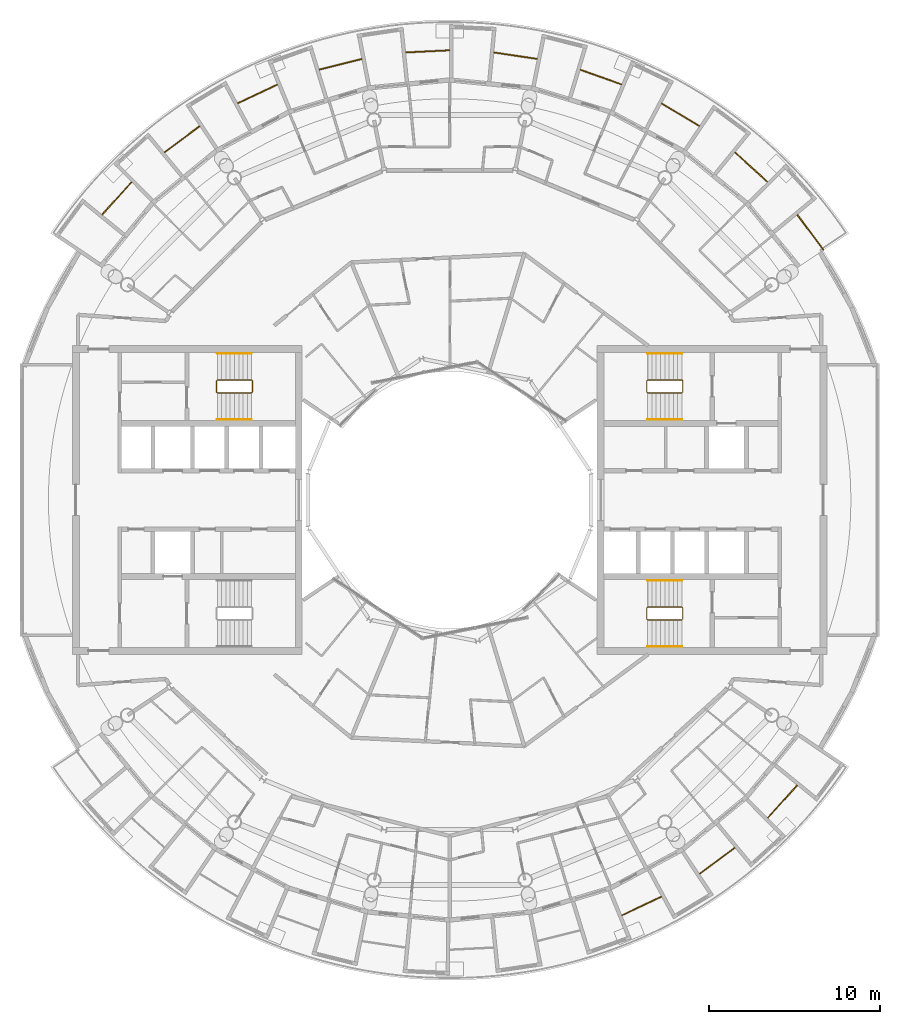
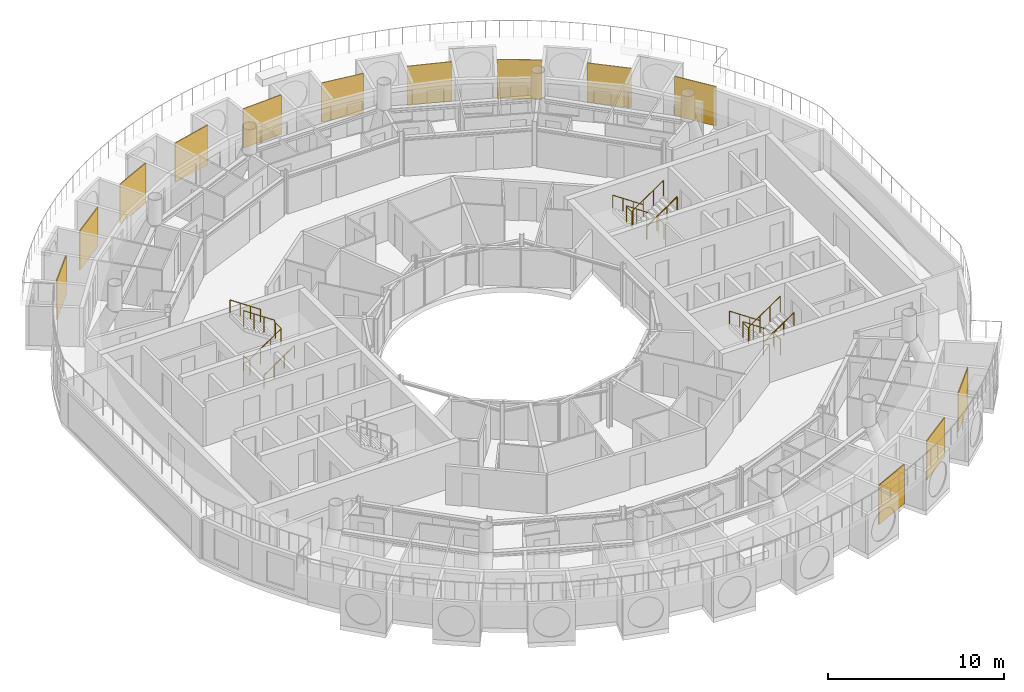
# One storey, part 25 of 25: 22 railings.
"""IFC4 building model written with IfcOpenShell, lengths in metres."""

from ifc_helpers import new_model, si_unit, direction, frame, origin, origin_2d, place, context, subcontext, project, spatial, polyline, circle, outline, extrude, material, layer, layer_set, type_object, element, save


model = new_model("IFC4")

# Units and contexts
model_context = context("Model", 3, precision=1e-05, world=origin(), true_north=direction((0.0, 1.0)))
body_context = subcontext(model_context, "Body", "Model", "MODEL_VIEW")
ifc_project = project(units=[si_unit("LENGTHUNIT", "METRE"), si_unit("AREAUNIT", "SQUARE_METRE"), si_unit("VOLUMEUNIT", "CUBIC_METRE"), si_unit("PLANEANGLEUNIT", "RADIAN"), si_unit("MASSUNIT", "GRAM", prefix="KILO")], contexts=[model_context])

# Site, building, storey
site_placement = place(None, origin())
site = spatial("IfcSite", under=ifc_project, at=site_placement, CompositionType="ELEMENT")
building_placement = place(site_placement, origin())
building = spatial("IfcBuilding", under=site, at=building_placement, Name="Maasbend Ring Residences", CompositionType="ELEMENT")
storey_placement = place(building_placement, frame((0.0, 0.0, 246.25)))
storey = spatial("IfcBuildingStorey", under=building, at=storey_placement, Name="L71", CompositionType="ELEMENT", Elevation=246.25)

# Railings
ifc_material_1 = material(Name="Pale anodised perforated aluminium", Category="aluminium")
ifc_layer = layer(ifc_material_1, 0.06005859375)
ifc_layer_set = layer_set([ifc_layer], Name="SCREEN-P")
railing_type_1 = type_object("IfcRailingType", Name="SCREEN-P", PredefinedType="GUARDRAIL", material=ifc_layer_set)
railing_1_placement = place(storey_placement, frame((0.0, 0.0, -0.030029296875)))
element("IfcRailing", 1, at=railing_1_placement, inside=storey, type_object=railing_type_1, Name="Perforated screen guard 1", PredefinedType="GUARDRAIL", context=body_context, shape_type="SweptSolid", body=[
    extrude(outline(polyline([(21.784912109375, 14.555908203125), (20.2529296875, 16.62109375), (20.301025390625, 16.656982421875), (21.8330078125, 14.592041015625), (21.784912109375, 14.555908203125)])), origin(), (0.0, 0.0, 1.0), 2.72998046875),
])
railing_2_placement = place(storey_placement, frame((0.0, 0.0, -0.030029296875)))
element("IfcRailing", 2, at=railing_2_placement, inside=storey, type_object=railing_type_1, Name="Perforated screen guard 2", PredefinedType="GUARDRAIL", context=body_context, shape_type="SweptSolid", body=[
    extrude(outline(polyline([(18.52587890625, 18.52587890625), (16.62109375, 20.2529296875), (16.660888671875, 20.297119140625), (18.56591796875, 18.571044921875), (18.52587890625, 18.52587890625)])), origin(), (0.0, 0.0, 1.0), 2.72998046875),
])
railing_3_placement = place(storey_placement, frame((0.0, 0.0, -0.030029296875)))
element("IfcRailing", 3, at=railing_3_placement, inside=storey, type_object=railing_type_1, Name="Perforated screen guard 3", PredefinedType="GUARDRAIL", context=body_context, shape_type="SweptSolid", body=[
    extrude(outline(polyline([(14.555908203125, 21.784912109375), (12.35107421875, 23.10595703125), (12.381103515625, 23.157958984375), (14.5869140625, 21.8359375), (14.555908203125, 21.784912109375)])), origin(), (0.0, 0.0, 1.0), 2.72998046875),
])
railing_4_placement = place(storey_placement, frame((0.0, 0.0, -0.030029296875)))
element("IfcRailing", 4, at=railing_4_placement, inside=storey, type_object=railing_type_1, Name="Perforated screen guard 4", PredefinedType="GUARDRAIL", context=body_context, shape_type="SweptSolid", body=[
    extrude(outline(polyline([(10.02587890625, 24.2060546875), (7.60498046875, 25.072021484375), (7.6259765625, 25.1279296875), (10.047119140625, 24.261962890625), (10.02587890625, 24.2060546875)])), origin(), (0.0, 0.0, 1.0), 2.72998046875),
])
railing_5_placement = place(storey_placement, frame((0.0, 0.0, -0.030029296875)))
element("IfcRailing", 5, at=railing_5_placement, inside=storey, type_object=railing_type_1, Name="Perforated screen guard 5", PredefinedType="GUARDRAIL", context=body_context, shape_type="SweptSolid", body=[
    extrude(outline(polyline([(5.111083984375, 25.697021484375), (2.568115234375, 26.073974609375), (2.576904296875, 26.133056640625), (5.1201171875, 25.756103515625), (5.111083984375, 25.697021484375)])), origin(), (0.0, 0.0, 1.0), 2.72998046875),
])
railing_6_placement = place(storey_placement, frame((0.0, 0.0, -0.030029296875)))
element("IfcRailing", 6, at=railing_6_placement, inside=storey, type_object=railing_type_1, Name="Perforated screen guard 6", PredefinedType="GUARDRAIL", context=body_context, shape_type="SweptSolid", body=[
    extrude(outline(polyline([(0.0, 26.199951171875), (-2.568115234375, 26.073974609375), (-2.571044921875, 26.134033203125), (-0.0029296875, 26.260009765625), (0.0, 26.199951171875)])), origin(), (0.0, 0.0, 1.0), 2.72998046875),
])
railing_7_placement = place(storey_placement, frame((0.0, 0.0, -0.030029296875)))
element("IfcRailing", 7, at=railing_7_placement, inside=storey, type_object=railing_type_1, Name="Perforated screen guard 7", PredefinedType="GUARDRAIL", context=body_context, shape_type="SweptSolid", body=[
    extrude(outline(polyline([(-5.111083984375, 25.697021484375), (-7.60498046875, 25.072021484375), (-7.6201171875, 25.1298828125), (-5.1259765625, 25.7548828125), (-5.111083984375, 25.697021484375)])), origin(), (0.0, 0.0, 1.0), 2.72998046875),
])
railing_8_placement = place(storey_placement, frame((0.0, 0.0, -0.030029296875)))
element("IfcRailing", 8, at=railing_8_placement, inside=storey, type_object=railing_type_1, Name="Perforated screen guard 8", PredefinedType="GUARDRAIL", context=body_context, shape_type="SweptSolid", body=[
    extrude(outline(polyline([(-10.02587890625, 24.2060546875), (-12.35107421875, 23.10595703125), (-12.3759765625, 23.160888671875), (-10.052001953125, 24.260009765625), (-10.02587890625, 24.2060546875)])), origin(), (0.0, 0.0, 1.0), 2.72998046875),
])
railing_9_placement = place(storey_placement, frame((0.0, 0.0, -0.030029296875)))
element("IfcRailing", 9, at=railing_9_placement, inside=storey, type_object=railing_type_1, Name="Perforated screen guard 9", PredefinedType="GUARDRAIL", context=body_context, shape_type="SweptSolid", body=[
    extrude(outline(polyline([(-14.555908203125, 21.784912109375), (-16.62109375, 20.2529296875), (-16.656982421875, 20.301025390625), (-14.592041015625, 21.8330078125), (-14.555908203125, 21.784912109375)])), origin(), (0.0, 0.0, 1.0), 2.72998046875),
])
railing_10_placement = place(storey_placement, frame((0.0, 0.0, -0.030029296875)))
element("IfcRailing", 10, at=railing_10_placement, inside=storey, type_object=railing_type_1, Name="Perforated screen guard 10", PredefinedType="GUARDRAIL", context=body_context, shape_type="SweptSolid", body=[
    extrude(outline(polyline([(-18.52587890625, 18.52587890625), (-20.2529296875, 16.62109375), (-20.297119140625, 16.660888671875), (-18.571044921875, 18.56591796875), (-18.52587890625, 18.52587890625)])), origin(), (0.0, 0.0, 1.0), 2.72998046875),
])
railing_11_placement = place(storey_placement, frame((0.0, 0.0, -0.030029296875)))
element("IfcRailing", 11, at=railing_11_placement, inside=storey, type_object=railing_type_1, Name="Perforated screen guard 8", PredefinedType="GUARDRAIL", context=body_context, shape_type="SweptSolid", body=[
    extrude(outline(polyline([(10.02587890625, -24.2060546875), (12.35107421875, -23.10595703125), (12.3759765625, -23.160888671875), (10.052001953125, -24.260009765625), (10.02587890625, -24.2060546875)])), origin(), (0.0, 0.0, 1.0), 2.72998046875),
])
railing_12_placement = place(storey_placement, frame((0.0, 0.0, -0.030029296875)))
element("IfcRailing", 12, at=railing_12_placement, inside=storey, type_object=railing_type_1, Name="Perforated screen guard 9", PredefinedType="GUARDRAIL", context=body_context, shape_type="SweptSolid", body=[
    extrude(outline(polyline([(14.555908203125, -21.784912109375), (16.62109375, -20.2529296875), (16.656982421875, -20.301025390625), (14.592041015625, -21.8330078125), (14.555908203125, -21.784912109375)])), origin(), (0.0, 0.0, 1.0), 2.72998046875),
])
railing_13_placement = place(storey_placement, frame((0.0, 0.0, -0.030029296875)))
element("IfcRailing", 13, at=railing_13_placement, inside=storey, type_object=railing_type_1, Name="Perforated screen guard 10", PredefinedType="GUARDRAIL", context=body_context, shape_type="SweptSolid", body=[
    extrude(outline(polyline([(18.52587890625, -18.52587890625), (20.2529296875, -16.62109375), (20.297119140625, -16.660888671875), (18.571044921875, -18.56591796875), (18.52587890625, -18.52587890625)])), origin(), (0.0, 0.0, 1.0), 2.72998046875),
])
ifc_material_2 = material(Name="Stainless steel 316", Category="steel")
railing_type_2 = type_object("IfcRailingType", Name="STAIR GUARD 1100", PredefinedType="GUARDRAIL", material=ifc_material_2)
railing_14_placement = place(storey_placement, frame((13.60009765625, 6.300048828125, 0.0)))
element("IfcRailing", 14, at=railing_14_placement, inside=storey, type_object=railing_type_2, Name="L71 ST-E1 stair guard 1", PredefinedType="GUARDRAIL", context=body_context, shape_type="SweptSolid", body=[
    extrude(circle(Radius=0.02392578125, at=origin_2d()), frame((0.0, 0.0, 1.076171875), z_axis=(0.0, 1.0, 0.0), x_axis=(-1.0, 0.0, 0.0)), (0.0, 0.0, 1.0), 0.64990234375),
    extrude(circle(Radius=0.02392578125, at=origin_2d()), frame((0.0, 0.64990234375, 1.076171875), z_axis=(-0.272562526181, 0.272562526181, 0.92272386912), x_axis=(-0.707106781187, -0.707106781187, 0.0)), (0.0, 0.0, 1.0), 0.18359375),
    extrude(circle(Radius=0.02392578125, at=origin_2d()), frame((-0.050048828125, 0.699951171875, 1.24560546875), z_axis=(-0.827797584762, 0.0, 0.561026878735), x_axis=(0.0, -1.0, 0.0)), (0.0, 0.0, 1.0), 2.416015625),
    extrude(circle(Radius=0.02392578125, at=origin_2d()), frame((-2.050048828125, 0.699951171875, 2.60107421875), z_axis=(-0.707106781187, -0.707106781187, 0.0), x_axis=(0.707106781187, -0.707106781187, 0.0)), (0.0, 0.0, 1.0), 0.07080078125),
    extrude(circle(Radius=0.02392578125, at=origin_2d()), frame((-2.10009765625, 0.64990234375, 2.60107421875), z_axis=(0.0, -1.0, 0.0), x_axis=(1.0, 0.0, 0.0)), (0.0, 0.0, 1.0), 0.64990234375),
    extrude(circle(Radius=0.02392578125, at=origin_2d()), frame((-2.10009765625, 0.0, 2.60107421875), z_axis=(0.272562526181, -0.272562526181, 0.92272386912), x_axis=(0.707106781187, 0.707106781187, 0.0)), (0.0, 0.0, 1.0), 0.18359375),
    extrude(circle(Radius=0.02392578125, at=origin_2d()), frame((-2.050048828125, -0.050048828125, 2.7705078125), z_axis=(0.827750655447, 0.0, 0.561096116906), x_axis=(0.0, 1.0, 0.0)), (0.0, 0.0, 1.0), 2.416259765625),
    extrude(circle(Radius=0.02099609375, at=origin_2d()), origin(), (0.0, 0.0, 1.0), 1.052001953125),
    extrude(circle(Radius=0.02099609375, at=origin_2d()), frame((0.0, 0.64990234375, 0.0)), (0.0, 0.0, 1.0), 1.052001953125),
    extrude(circle(Radius=0.02099609375, at=origin_2d()), frame((-0.050048828125, 0.699951171875, 0.16943359375)), (0.0, 0.0, 1.0), 1.052001953125),
    extrude(circle(Radius=0.02099609375, at=origin_2d()), frame((-0.716796875, 0.699951171875, 0.621337890625)), (0.0, 0.0, 1.0), 1.052001953125),
    extrude(circle(Radius=0.02099609375, at=origin_2d()), frame((-1.38330078125, 0.699951171875, 1.072998046875)), (0.0, 0.0, 1.0), 1.052001953125),
    extrude(circle(Radius=0.02099609375, at=origin_2d()), frame((-2.050048828125, 0.699951171875, 1.52490234375)), (0.0, 0.0, 1.0), 1.052001953125),
    extrude(circle(Radius=0.02099609375, at=origin_2d()), frame((-2.10009765625, 0.64990234375, 1.52490234375)), (0.0, 0.0, 1.0), 1.052001953125),
    extrude(circle(Radius=0.02099609375, at=origin_2d()), frame((-2.10009765625, 0.0, 1.52490234375)), (0.0, 0.0, 1.0), 1.052001953125),
    extrude(circle(Radius=0.02099609375, at=origin_2d()), frame((-2.050048828125, -0.050048828125, 1.6943359375)), (0.0, 0.0, 1.0), 1.052001953125),
    extrude(circle(Radius=0.02099609375, at=origin_2d()), frame((-1.38330078125, -0.050048828125, 2.146240234375)), (0.0, 0.0, 1.0), 1.052001953125),
    extrude(circle(Radius=0.02099609375, at=origin_2d()), frame((-0.716796875, -0.050048828125, 2.59814453125)), (0.0, 0.0, 1.0), 1.052001953125),
    extrude(circle(Radius=0.02099609375, at=origin_2d()), frame((-0.050048828125, -0.050048828125, 3.050048828125)), (0.0, 0.0, 1.0), 1.052001953125),
])
railing_15_placement = place(storey_placement, frame((13.60009765625, -6.949951171875, 0.0)))
element("IfcRailing", 15, at=railing_15_placement, inside=storey, type_object=railing_type_2, Name="L71 ST-E2 stair guard 1", PredefinedType="GUARDRAIL", context=body_context, shape_type="SweptSolid", body=[
    extrude(circle(Radius=0.02392578125, at=origin_2d()), frame((0.0, 0.0, 1.076171875), z_axis=(0.0, 1.0, 0.0), x_axis=(-1.0, 0.0, 0.0)), (0.0, 0.0, 1.0), 0.64990234375),
    extrude(circle(Radius=0.02392578125, at=origin_2d()), frame((0.0, 0.64990234375, 1.076171875), z_axis=(-0.272562526181, 0.272562526181, 0.92272386912), x_axis=(-0.707106781187, -0.707106781187, 0.0)), (0.0, 0.0, 1.0), 0.18359375),
    extrude(circle(Radius=0.02392578125, at=origin_2d()), frame((-0.050048828125, 0.699951171875, 1.24560546875), z_axis=(-0.827797584762, 0.0, 0.561026878735), x_axis=(0.0, -1.0, 0.0)), (0.0, 0.0, 1.0), 2.416015625),
    extrude(circle(Radius=0.02392578125, at=origin_2d()), frame((-2.050048828125, 0.699951171875, 2.60107421875), z_axis=(-0.707106781187, -0.707106781187, 0.0), x_axis=(0.707106781187, -0.707106781187, 0.0)), (0.0, 0.0, 1.0), 0.07080078125),
    extrude(circle(Radius=0.02392578125, at=origin_2d()), frame((-2.10009765625, 0.64990234375, 2.60107421875), z_axis=(0.0, -1.0, 0.0), x_axis=(1.0, 0.0, 0.0)), (0.0, 0.0, 1.0), 0.64990234375),
    extrude(circle(Radius=0.02392578125, at=origin_2d()), frame((-2.10009765625, 0.0, 2.60107421875), z_axis=(0.272562526181, -0.272562526181, 0.92272386912), x_axis=(0.707106781187, 0.707106781187, 0.0)), (0.0, 0.0, 1.0), 0.18359375),
    extrude(circle(Radius=0.02392578125, at=origin_2d()), frame((-2.050048828125, -0.050048828125, 2.7705078125), z_axis=(0.827750655447, 0.0, 0.561096116906), x_axis=(0.0, 1.0, 0.0)), (0.0, 0.0, 1.0), 2.416259765625),
    extrude(circle(Radius=0.02099609375, at=origin_2d()), origin(), (0.0, 0.0, 1.0), 1.052001953125),
    extrude(circle(Radius=0.02099609375, at=origin_2d()), frame((0.0, 0.64990234375, 0.0)), (0.0, 0.0, 1.0), 1.052001953125),
    extrude(circle(Radius=0.02099609375, at=origin_2d()), frame((-0.050048828125, 0.699951171875, 0.16943359375)), (0.0, 0.0, 1.0), 1.052001953125),
    extrude(circle(Radius=0.02099609375, at=origin_2d()), frame((-0.716796875, 0.699951171875, 0.621337890625)), (0.0, 0.0, 1.0), 1.052001953125),
    extrude(circle(Radius=0.02099609375, at=origin_2d()), frame((-1.38330078125, 0.699951171875, 1.072998046875)), (0.0, 0.0, 1.0), 1.052001953125),
    extrude(circle(Radius=0.02099609375, at=origin_2d()), frame((-2.050048828125, 0.699951171875, 1.52490234375)), (0.0, 0.0, 1.0), 1.052001953125),
    extrude(circle(Radius=0.02099609375, at=origin_2d()), frame((-2.10009765625, 0.64990234375, 1.52490234375)), (0.0, 0.0, 1.0), 1.052001953125),
    extrude(circle(Radius=0.02099609375, at=origin_2d()), frame((-2.10009765625, 0.0, 1.52490234375)), (0.0, 0.0, 1.0), 1.052001953125),
    extrude(circle(Radius=0.02099609375, at=origin_2d()), frame((-2.050048828125, -0.050048828125, 1.6943359375)), (0.0, 0.0, 1.0), 1.052001953125),
    extrude(circle(Radius=0.02099609375, at=origin_2d()), frame((-1.38330078125, -0.050048828125, 2.146240234375)), (0.0, 0.0, 1.0), 1.052001953125),
    extrude(circle(Radius=0.02099609375, at=origin_2d()), frame((-0.716796875, -0.050048828125, 2.59814453125)), (0.0, 0.0, 1.0), 1.052001953125),
    extrude(circle(Radius=0.02099609375, at=origin_2d()), frame((-0.050048828125, -0.050048828125, 3.050048828125)), (0.0, 0.0, 1.0), 1.052001953125),
])
railing_16_placement = place(storey_placement, frame((-13.60009765625, 6.949951171875, 0.0)))
element("IfcRailing", 16, at=railing_16_placement, inside=storey, type_object=railing_type_2, Name="L71 ST-W2 stair guard 1", PredefinedType="GUARDRAIL", context=body_context, shape_type="SweptSolid", body=[
    extrude(circle(Radius=0.02392578125, at=origin_2d()), frame((0.0, 0.0, 1.076171875), z_axis=(0.0, -1.0, 0.0), x_axis=(1.0, 0.0, 0.0)), (0.0, 0.0, 1.0), 0.64990234375),
    extrude(circle(Radius=0.02392578125, at=origin_2d()), frame((0.0, -0.64990234375, 1.076171875), z_axis=(0.272562526181, -0.272562526181, 0.92272386912), x_axis=(0.707106781187, 0.707106781187, 0.0)), (0.0, 0.0, 1.0), 0.18359375),
    extrude(circle(Radius=0.02392578125, at=origin_2d()), frame((0.050048828125, -0.699951171875, 1.24560546875), z_axis=(0.827797584762, 0.0, 0.561026878735), x_axis=(0.0, 1.0, 0.0)), (0.0, 0.0, 1.0), 2.416015625),
    extrude(circle(Radius=0.02392578125, at=origin_2d()), frame((2.050048828125, -0.699951171875, 2.60107421875), z_axis=(0.707106781187, 0.707106781187, 0.0), x_axis=(-0.707106781187, 0.707106781187, 0.0)), (0.0, 0.0, 1.0), 0.07080078125),
    extrude(circle(Radius=0.02392578125, at=origin_2d()), frame((2.10009765625, -0.64990234375, 2.60107421875), z_axis=(0.0, 1.0, 0.0), x_axis=(-1.0, 0.0, 0.0)), (0.0, 0.0, 1.0), 0.64990234375),
    extrude(circle(Radius=0.02392578125, at=origin_2d()), frame((2.10009765625, 0.0, 2.60107421875), z_axis=(-0.272562526181, 0.272562526181, 0.92272386912), x_axis=(-0.707106781187, -0.707106781187, 0.0)), (0.0, 0.0, 1.0), 0.18359375),
    extrude(circle(Radius=0.02392578125, at=origin_2d()), frame((2.050048828125, 0.050048828125, 2.7705078125), z_axis=(-0.827750655447, 0.0, 0.561096116906), x_axis=(0.0, -1.0, 0.0)), (0.0, 0.0, 1.0), 2.416259765625),
    extrude(circle(Radius=0.02099609375, at=origin_2d()), origin(), (0.0, 0.0, 1.0), 1.052001953125),
    extrude(circle(Radius=0.02099609375, at=origin_2d()), frame((0.0, -0.64990234375, 0.0)), (0.0, 0.0, 1.0), 1.052001953125),
    extrude(circle(Radius=0.02099609375, at=origin_2d()), frame((0.050048828125, -0.699951171875, 0.16943359375)), (0.0, 0.0, 1.0), 1.052001953125),
    extrude(circle(Radius=0.02099609375, at=origin_2d()), frame((0.716796875, -0.699951171875, 0.621337890625)), (0.0, 0.0, 1.0), 1.052001953125),
    extrude(circle(Radius=0.02099609375, at=origin_2d()), frame((1.38330078125, -0.699951171875, 1.072998046875)), (0.0, 0.0, 1.0), 1.052001953125),
    extrude(circle(Radius=0.02099609375, at=origin_2d()), frame((2.050048828125, -0.699951171875, 1.52490234375)), (0.0, 0.0, 1.0), 1.052001953125),
    extrude(circle(Radius=0.02099609375, at=origin_2d()), frame((2.10009765625, -0.64990234375, 1.52490234375)), (0.0, 0.0, 1.0), 1.052001953125),
    extrude(circle(Radius=0.02099609375, at=origin_2d()), frame((2.10009765625, 0.0, 1.52490234375)), (0.0, 0.0, 1.0), 1.052001953125),
    extrude(circle(Radius=0.02099609375, at=origin_2d()), frame((2.050048828125, 0.050048828125, 1.6943359375)), (0.0, 0.0, 1.0), 1.052001953125),
    extrude(circle(Radius=0.02099609375, at=origin_2d()), frame((1.38330078125, 0.050048828125, 2.146240234375)), (0.0, 0.0, 1.0), 1.052001953125),
    extrude(circle(Radius=0.02099609375, at=origin_2d()), frame((0.716796875, 0.050048828125, 2.59814453125)), (0.0, 0.0, 1.0), 1.052001953125),
    extrude(circle(Radius=0.02099609375, at=origin_2d()), frame((0.050048828125, 0.050048828125, 3.050048828125)), (0.0, 0.0, 1.0), 1.052001953125),
])
ifc_material_3 = material(Name="Stainless steel 316", Category="steel")
railing_type_3 = type_object("IfcRailingType", Name="STAIR HANDRAIL 900", PredefinedType="HANDRAIL", material=ifc_material_3)
railing_17_placement = place(storey_placement, frame((13.550048828125, 8.550048828125, 0.16943359375)))
element("IfcRailing", 17, at=railing_17_placement, inside=storey, type_object=railing_type_3, Name="L71 ST-E1 stair handrail 1", PredefinedType="HANDRAIL", context=body_context, shape_type="SweptSolid", body=[
    extrude(circle(Radius=0.02392578125, at=origin_2d()), frame((0.0, 0.0, 0.8759765625), z_axis=(-0.827797584762, 0.0, 0.561026878735), x_axis=(0.0, -1.0, 0.0)), (0.0, 0.0, 1.0), 2.416015625),
    extrude(circle(Radius=0.02099609375, at=origin_2d()), origin(), (0.0, 0.0, 1.0), 0.851806640625),
    extrude(circle(Radius=0.02099609375, at=origin_2d()), frame((-0.666748046875, 0.0, 0.451904296875)), (0.0, 0.0, 1.0), 0.851806640625),
    extrude(circle(Radius=0.02099609375, at=origin_2d()), frame((-1.333251953125, 0.0, 0.903564453125)), (0.0, 0.0, 1.0), 0.851806640625),
    extrude(circle(Radius=0.02099609375, at=origin_2d()), frame((-2.0, 0.0, 1.35546875)), (0.0, 0.0, 1.0), 0.851806640625),
])
railing_18_placement = place(storey_placement, frame((11.550048828125, 4.699951171875, 1.6943359375)))
element("IfcRailing", 18, at=railing_18_placement, inside=storey, type_object=railing_type_3, Name="L71 ST-E1 stair handrail 2", PredefinedType="HANDRAIL", context=body_context, shape_type="SweptSolid", body=[
    extrude(circle(Radius=0.02392578125, at=origin_2d()), frame((0.0, 0.0, 0.8759765625), z_axis=(0.827750655447, 0.0, 0.561096116906), x_axis=(0.0, 1.0, 0.0)), (0.0, 0.0, 1.0), 2.416259765625),
    extrude(circle(Radius=0.02099609375, at=origin_2d()), origin(), (0.0, 0.0, 1.0), 0.851806640625),
    extrude(circle(Radius=0.02099609375, at=origin_2d()), frame((0.666748046875, 0.0, 0.451904296875)), (0.0, 0.0, 1.0), 0.851806640625),
    extrude(circle(Radius=0.02099609375, at=origin_2d()), frame((1.333251953125, 0.0, 0.90380859375)), (0.0, 0.0, 1.0), 0.851806640625),
    extrude(circle(Radius=0.02099609375, at=origin_2d()), frame((2.0, 0.0, 1.355712890625)), (0.0, 0.0, 1.0), 0.851806640625),
])
railing_19_placement = place(storey_placement, frame((13.550048828125, -4.699951171875, 0.16943359375)))
element("IfcRailing", 19, at=railing_19_placement, inside=storey, type_object=railing_type_3, Name="L71 ST-E2 stair handrail 1", PredefinedType="HANDRAIL", context=body_context, shape_type="SweptSolid", body=[
    extrude(circle(Radius=0.02392578125, at=origin_2d()), frame((0.0, 0.0, 0.8759765625), z_axis=(-0.827797584762, 0.0, 0.561026878735), x_axis=(0.0, -1.0, 0.0)), (0.0, 0.0, 1.0), 2.416015625),
    extrude(circle(Radius=0.02099609375, at=origin_2d()), origin(), (0.0, 0.0, 1.0), 0.851806640625),
    extrude(circle(Radius=0.02099609375, at=origin_2d()), frame((-0.666748046875, 0.0, 0.451904296875)), (0.0, 0.0, 1.0), 0.851806640625),
    extrude(circle(Radius=0.02099609375, at=origin_2d()), frame((-1.333251953125, 0.0, 0.903564453125)), (0.0, 0.0, 1.0), 0.851806640625),
    extrude(circle(Radius=0.02099609375, at=origin_2d()), frame((-2.0, 0.0, 1.35546875)), (0.0, 0.0, 1.0), 0.851806640625),
])
railing_20_placement = place(storey_placement, frame((11.550048828125, -8.550048828125, 1.6943359375)))
element("IfcRailing", 20, at=railing_20_placement, inside=storey, type_object=railing_type_3, Name="L71 ST-E2 stair handrail 2", PredefinedType="HANDRAIL", context=body_context, shape_type="SweptSolid", body=[
    extrude(circle(Radius=0.02392578125, at=origin_2d()), frame((0.0, 0.0, 0.8759765625), z_axis=(0.827750655447, 0.0, 0.561096116906), x_axis=(0.0, 1.0, 0.0)), (0.0, 0.0, 1.0), 2.416259765625),
    extrude(circle(Radius=0.02099609375, at=origin_2d()), origin(), (0.0, 0.0, 1.0), 0.851806640625),
    extrude(circle(Radius=0.02099609375, at=origin_2d()), frame((0.666748046875, 0.0, 0.451904296875)), (0.0, 0.0, 1.0), 0.851806640625),
    extrude(circle(Radius=0.02099609375, at=origin_2d()), frame((1.333251953125, 0.0, 0.90380859375)), (0.0, 0.0, 1.0), 0.851806640625),
    extrude(circle(Radius=0.02099609375, at=origin_2d()), frame((2.0, 0.0, 1.355712890625)), (0.0, 0.0, 1.0), 0.851806640625),
])
railing_21_placement = place(storey_placement, frame((-13.550048828125, 4.699951171875, 0.16943359375)))
element("IfcRailing", 21, at=railing_21_placement, inside=storey, type_object=railing_type_3, Name="L71 ST-W2 stair handrail 1", PredefinedType="HANDRAIL", context=body_context, shape_type="SweptSolid", body=[
    extrude(circle(Radius=0.02392578125, at=origin_2d()), frame((0.0, 0.0, 0.8759765625), z_axis=(0.827797584762, 0.0, 0.561026878735), x_axis=(0.0, 1.0, 0.0)), (0.0, 0.0, 1.0), 2.416015625),
    extrude(circle(Radius=0.02099609375, at=origin_2d()), origin(), (0.0, 0.0, 1.0), 0.851806640625),
    extrude(circle(Radius=0.02099609375, at=origin_2d()), frame((0.666748046875, 0.0, 0.451904296875)), (0.0, 0.0, 1.0), 0.851806640625),
    extrude(circle(Radius=0.02099609375, at=origin_2d()), frame((1.333251953125, 0.0, 0.903564453125)), (0.0, 0.0, 1.0), 0.851806640625),
    extrude(circle(Radius=0.02099609375, at=origin_2d()), frame((2.0, 0.0, 1.35546875)), (0.0, 0.0, 1.0), 0.851806640625),
])
railing_22_placement = place(storey_placement, frame((-11.550048828125, 8.550048828125, 1.6943359375)))
element("IfcRailing", 22, at=railing_22_placement, inside=storey, type_object=railing_type_3, Name="L71 ST-W2 stair handrail 2", PredefinedType="HANDRAIL", context=body_context, shape_type="SweptSolid", body=[
    extrude(circle(Radius=0.02392578125, at=origin_2d()), frame((0.0, 0.0, 0.8759765625), z_axis=(-0.827750655447, 0.0, 0.561096116906), x_axis=(0.0, -1.0, 0.0)), (0.0, 0.0, 1.0), 2.416259765625),
    extrude(circle(Radius=0.02099609375, at=origin_2d()), origin(), (0.0, 0.0, 1.0), 0.851806640625),
    extrude(circle(Radius=0.02099609375, at=origin_2d()), frame((-0.666748046875, 0.0, 0.451904296875)), (0.0, 0.0, 1.0), 0.851806640625),
    extrude(circle(Radius=0.02099609375, at=origin_2d()), frame((-1.333251953125, 0.0, 0.90380859375)), (0.0, 0.0, 1.0), 0.851806640625),
    extrude(circle(Radius=0.02099609375, at=origin_2d()), frame((-2.0, 0.0, 1.355712890625)), (0.0, 0.0, 1.0), 0.851806640625),
])

save(model, "model.ifc")
